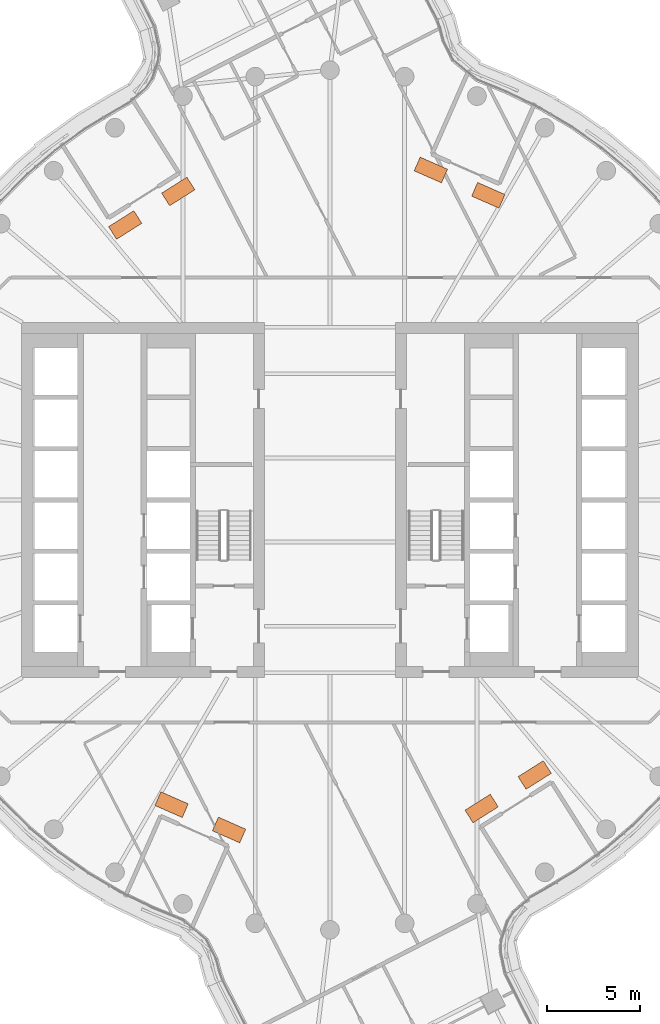
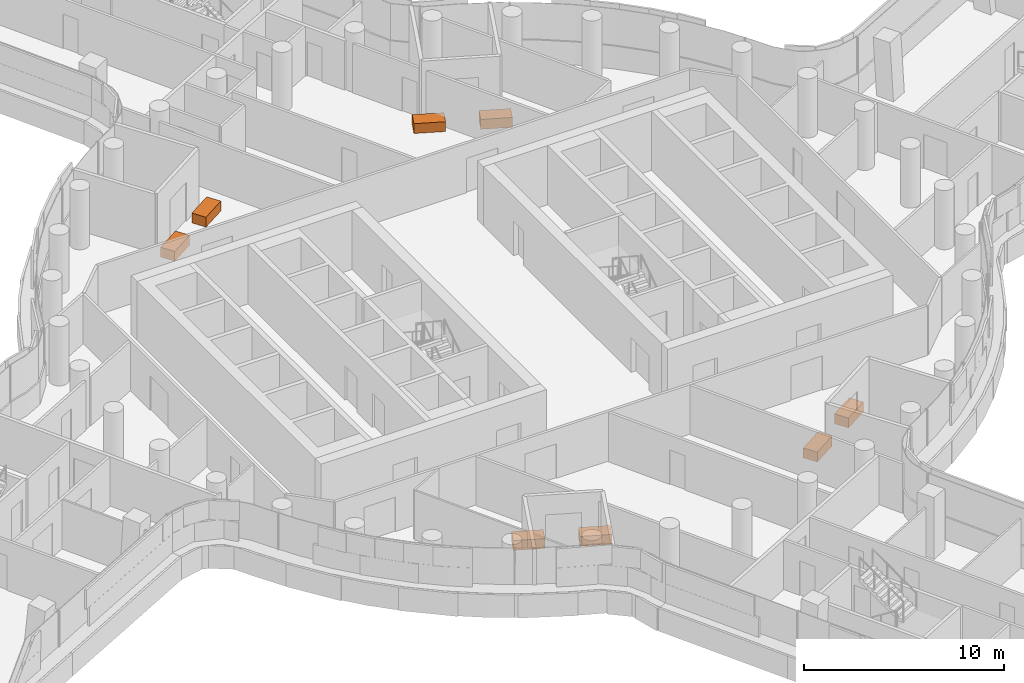
# One storey, part 37 of 37: 8 proxies.
"""IFC4 building model written with IfcOpenShell, lengths in metres."""

from ifc_helpers import new_model, si_unit, direction, frame, origin, origin_2d, place, context, subcontext, project, spatial, rectangle, extrude, material, type_object, element, save


model = new_model("IFC4")

# Units and contexts
model_context = context("Model", 3, precision=1e-05, world=origin(), true_north=direction((0.0, 1.0)))
body_context = subcontext(model_context, "Body", "Model", "MODEL_VIEW")
ifc_project = project(units=[si_unit("LENGTHUNIT", "METRE"), si_unit("AREAUNIT", "SQUARE_METRE"), si_unit("VOLUMEUNIT", "CUBIC_METRE"), si_unit("PLANEANGLEUNIT", "RADIAN"), si_unit("MASSUNIT", "GRAM", prefix="KILO")], contexts=[model_context])

# Site, building, storey
site_placement = place(None, origin())
site = spatial("IfcSite", under=ifc_project, at=site_placement, CompositionType="ELEMENT")
building_placement = place(site_placement, origin())
building = spatial("IfcBuilding", under=site, at=building_placement, Name="Tamarind Cross Interchange Tower", CompositionType="ELEMENT")
storey_placement = place(building_placement, frame((0.0, 0.0, 133.0)))
storey = spatial("IfcBuildingStorey", under=building, at=storey_placement, Name="L32", CompositionType="ELEMENT", Elevation=133.0)

# Proxies
ifc_material = material(Name="Concrete C30", Category="concrete")
building_element_proxy_type = type_object("IfcBuildingElementProxyType", Name="Planter", PredefinedType="USERDEFINED", material=ifc_material)
proxy_1_placement = place(storey_placement, origin())
element("IfcBuildingElementProxy", 1, at=proxy_1_placement, inside=storey, type_object=building_element_proxy_type, Name="PLT-L32-WG-L32-EN-0", ObjectType="Planter", PredefinedType="USERDEFINED", context=body_context, shape_type="SweptSolid", body=[
    extrude(rectangle(XDim=1.60009765625, YDim=0.800048828125, at=origin_2d()), frame((8.473388671875, 16.302734375, 0.0), z_axis=(0.0, 0.0, 1.0), x_axis=(-0.915163803271, 0.403082141978, 0.0)), (0.0, 0.0, 1.0), 0.60009765625),
])
proxy_2_placement = place(storey_placement, origin())
element("IfcBuildingElementProxy", 2, at=proxy_2_placement, inside=storey, type_object=building_element_proxy_type, Name="PLT-L32-WG-L32-EN-1", ObjectType="Planter", PredefinedType="USERDEFINED", context=body_context, shape_type="SweptSolid", body=[
    extrude(rectangle(XDim=1.60009765625, YDim=0.800048828125, at=origin_2d()), frame((5.3984375, 17.656982421875, 0.0), z_axis=(0.0, 0.0, 1.0), x_axis=(-0.915163803271, 0.403082141978, 0.0)), (0.0, 0.0, 1.0), 0.60009765625),
])
proxy_3_placement = place(storey_placement, origin())
element("IfcBuildingElementProxy", 3, at=proxy_3_placement, inside=storey, type_object=building_element_proxy_type, Name="PLT-L32-WG-L32-NW-0", ObjectType="Planter", PredefinedType="USERDEFINED", context=body_context, shape_type="SweptSolid", body=[
    extrude(rectangle(XDim=1.60009765625, YDim=0.800048828125, at=origin_2d()), frame((-8.115478515625, 16.509033203125, 0.0), z_axis=(0.0, 0.0, 1.0), x_axis=(-0.845429663249, -0.534086776188, 0.0)), (0.0, 0.0, 1.0), 0.60009765625),
])
proxy_4_placement = place(storey_placement, origin())
element("IfcBuildingElementProxy", 4, at=proxy_4_placement, inside=storey, type_object=building_element_proxy_type, Name="PLT-L32-WG-L32-NW-1", ObjectType="Planter", PredefinedType="USERDEFINED", context=body_context, shape_type="SweptSolid", body=[
    extrude(rectangle(XDim=1.60009765625, YDim=0.800048828125, at=origin_2d()), frame((-10.9560546875, 14.71435546875, 0.0), z_axis=(0.0, 0.0, 1.0), x_axis=(-0.845429663249, -0.534086776188, 0.0)), (0.0, 0.0, 1.0), 0.60009765625),
])
proxy_5_placement = place(storey_placement, origin())
element("IfcBuildingElementProxy", 5, at=proxy_5_placement, inside=storey, type_object=building_element_proxy_type, Name="PLT-L32-WG-L32-SE-0", ObjectType="Planter", PredefinedType="USERDEFINED", context=body_context, shape_type="SweptSolid", body=[
    extrude(rectangle(XDim=1.60009765625, YDim=0.800048828125, at=origin_2d()), frame((8.115478515625, -16.509033203125, 0.0), z_axis=(0.0, 0.0, 1.0), x_axis=(0.845429663249, 0.534086776188, 0.0)), (0.0, 0.0, 1.0), 0.60009765625),
])
proxy_6_placement = place(storey_placement, origin())
element("IfcBuildingElementProxy", 6, at=proxy_6_placement, inside=storey, type_object=building_element_proxy_type, Name="PLT-L32-WG-L32-SE-1", ObjectType="Planter", PredefinedType="USERDEFINED", context=body_context, shape_type="SweptSolid", body=[
    extrude(rectangle(XDim=1.60009765625, YDim=0.800048828125, at=origin_2d()), frame((10.9560546875, -14.71435546875, 0.0), z_axis=(0.0, 0.0, 1.0), x_axis=(0.845429663249, 0.534086776188, 0.0)), (0.0, 0.0, 1.0), 0.60009765625),
])
proxy_7_placement = place(storey_placement, origin())
element("IfcBuildingElementProxy", 7, at=proxy_7_placement, inside=storey, type_object=building_element_proxy_type, Name="PLT-L32-WG-L32-WS-0", ObjectType="Planter", PredefinedType="USERDEFINED", context=body_context, shape_type="SweptSolid", body=[
    extrude(rectangle(XDim=1.60009765625, YDim=0.800048828125, at=origin_2d()), frame((-8.473388671875, -16.302734375, 0.0), z_axis=(0.0, 0.0, 1.0), x_axis=(0.915163803271, -0.403082141978, 0.0)), (0.0, 0.0, 1.0), 0.60009765625),
])
proxy_8_placement = place(storey_placement, origin())
element("IfcBuildingElementProxy", 8, at=proxy_8_placement, inside=storey, type_object=building_element_proxy_type, Name="PLT-L32-WG-L32-WS-1", ObjectType="Planter", PredefinedType="USERDEFINED", context=body_context, shape_type="SweptSolid", body=[
    extrude(rectangle(XDim=1.60009765625, YDim=0.800048828125, at=origin_2d()), frame((-5.3984375, -17.656982421875, 0.0), z_axis=(0.0, 0.0, 1.0), x_axis=(0.915163803271, -0.403082141978, 0.0)), (0.0, 0.0, 1.0), 0.60009765625),
])

save(model, "model.ifc")
